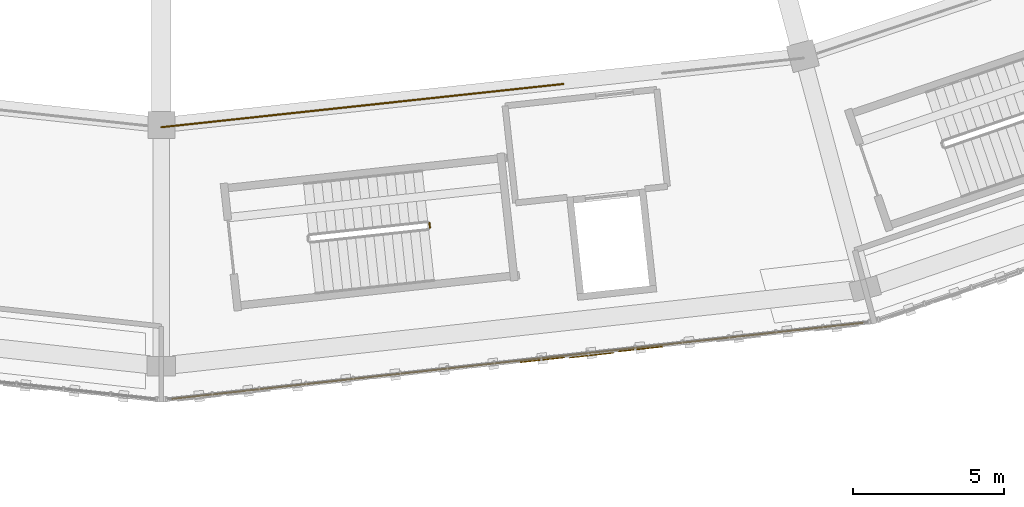
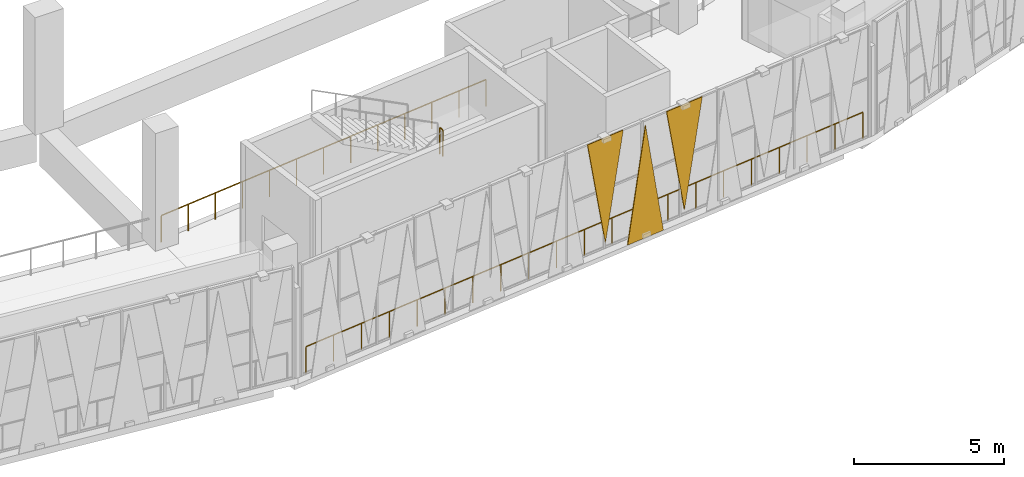
# One storey, part 87 of 108: 3 coverings, 3 railings.
"""IFC4 building model written with IfcOpenShell, lengths in metres."""

from ifc_helpers import new_model, si_unit, direction, frame, origin, origin_2d, place, context, subcontext, project, spatial, polyline, circle, outline, extrude, material, layer, layer_set, type_object, element, save


model = new_model("IFC4")

# Units and contexts
model_context = context("Model", 3, precision=1e-05, world=origin(), true_north=direction((0.0, 1.0)))
body_context = subcontext(model_context, "Body", "Model", "MODEL_VIEW")
ifc_project = project(units=[si_unit("LENGTHUNIT", "METRE"), si_unit("AREAUNIT", "SQUARE_METRE"), si_unit("VOLUMEUNIT", "CUBIC_METRE"), si_unit("PLANEANGLEUNIT", "RADIAN"), si_unit("MASSUNIT", "GRAM", prefix="KILO")], contexts=[model_context])

# Site, building, storey
site_placement = place(None, origin())
site = spatial("IfcSite", under=ifc_project, at=site_placement, CompositionType="ELEMENT")
building_placement = place(site_placement, origin())
building = spatial("IfcBuilding", under=site, at=building_placement, Name="Zevraka Park Crest Stadium", CompositionType="ELEMENT")
storey_placement = place(building_placement, frame((0.0, 0.0, 19.800048828125)))
storey = spatial("IfcBuildingStorey", under=building, at=storey_placement, Name="L04", CompositionType="ELEMENT", Elevation=19.800048828125)

# Coverings
ifc_material_1 = material(Name="Architectural golden-bronze perforated aluminium", Category="aluminium")
ifc_layer = layer(ifc_material_1, 0.034912109375)
ifc_layer_set = layer_set([ifc_layer], Name="Architectural golden-bronze perforated aluminium")
covering_type = type_object("IfcCoveringType", Name="CLD01", PredefinedType="CLADDING", material=ifc_layer_set)
covering_1_placement = place(storey_placement, frame((125.388916015625, 16.97412109375, 4.52001953125), z_axis=(0.109760215407, -0.993958095246, 3.115886e-06), x_axis=(-0.99395809525, -0.109760215408, 0.0)))
element("IfcCovering", 1, at=covering_1_placement, inside=storey, type_object=covering_type, Name="Triangular Golden-Bronze Perforated Cladding L04-18-8", PredefinedType="CLADDING", context=body_context, shape_type="SweptSolid", body=[
    extrude(outline(polyline([(0.0, 0.0), (1.4769411156667285, 0.0), (0.7383492250580652, 4.300048828145875), (0.0, 0.0)])), origin(), (0.0, 0.0, -1.0), 0.034912109375),
])
covering_2_placement = place(storey_placement, frame((125.548095703125, 16.990966796875, -0.219970703125), z_axis=(-0.109688126852, 0.993966053118, 8.77084e-06), x_axis=(0.993966053156, 0.109688126857, 0.0)))
element("IfcCovering", 2, at=covering_2_placement, inside=storey, type_object=covering_type, Name="Triangular Golden-Bronze Perforated Cladding L04-18-9", PredefinedType="CLADDING", context=body_context, shape_type="SweptSolid", body=[
    extrude(outline(polyline([(0.0, 0.0), (1.477911781756094, 0.0), (0.7393198921182166, -4.579833984551158), (0.0, 0.0)])), origin(), (0.0, 0.0, -1.0), 0.034912109375),
])
covering_3_placement = place(storey_placement, frame((128.64404296875, 17.33203125, 4.52001953125), z_axis=(0.109106903407, -0.994030015431, 0.000109777243), x_axis=(-0.994030021421, -0.109106904064, 0.0)))
element("IfcCovering", 3, at=covering_3_placement, inside=storey, type_object=covering_type, Name="Triangular Golden-Bronze Perforated Cladding L04-18-10", PredefinedType="CLADDING", context=body_context, shape_type="SweptSolid", body=[
    extrude(outline(polyline([(0.0, 0.0), (1.4768342469445075, 0.0), (0.738591739883103, 4.300048854035038), (0.0, 0.0)])), origin(), (0.0, 0.0, -1.0), 0.034912109375),
])

# Railings
ifc_material_2 = material(Name="Galvanised and bronze-finished steel balustrade", Category="steel")
railing_type_1 = type_object("IfcRailingType", Name="GR01", PredefinedType="GUARDRAIL", material=ifc_material_2)
railing_1_placement = place(storey_placement, frame((135.2919921875, 18.134033203125, 0.0)))
element("IfcRailing", 4, at=railing_1_placement, inside=storey, type_object=railing_type_1, Name="Deck Edge Protection Guardrail GR01 L04-18", PredefinedType="GUARDRAIL", context=body_context, shape_type="SweptSolid", body=[
    extrude(circle(Radius=0.02392578125, at=origin_2d()), frame((0.0, 0.0, 1.076171875), z_axis=(-0.993997671701, -0.109401227843, 0.0), x_axis=(0.109401227843, -0.993997671701, 0.0)), (0.0, 0.0, 1.0), 23.0703125),
    extrude(circle(Radius=0.02099609375, at=origin_2d()), origin(), (0.0, 0.0, 1.0), 1.052001953125),
    extrude(circle(Radius=0.02099609375, at=origin_2d()), frame((-1.146484375, -0.126220703125, 0.0)), (0.0, 0.0, 1.0), 1.052001953125),
    extrude(circle(Radius=0.02099609375, at=origin_2d()), frame((-2.293212890625, -0.25244140625, 0.0)), (0.0, 0.0, 1.0), 1.052001953125),
    extrude(circle(Radius=0.02099609375, at=origin_2d()), frame((-3.439697265625, -0.378662109375, 0.0)), (0.0, 0.0, 1.0), 1.052001953125),
    extrude(circle(Radius=0.02099609375, at=origin_2d()), frame((-4.58642578125, -0.5048828125, 0.0)), (0.0, 0.0, 1.0), 1.052001953125),
    extrude(circle(Radius=0.02099609375, at=origin_2d()), frame((-5.73291015625, -0.630859375, 0.0)), (0.0, 0.0, 1.0), 1.052001953125),
    extrude(circle(Radius=0.02099609375, at=origin_2d()), frame((-6.879638671875, -0.757080078125, 0.0)), (0.0, 0.0, 1.0), 1.052001953125),
    extrude(circle(Radius=0.02099609375, at=origin_2d()), frame((-8.026123046875, -0.88330078125, 0.0)), (0.0, 0.0, 1.0), 1.052001953125),
    extrude(circle(Radius=0.02099609375, at=origin_2d()), frame((-9.1728515625, -1.009521484375, 0.0)), (0.0, 0.0, 1.0), 1.052001953125),
    extrude(circle(Radius=0.02099609375, at=origin_2d()), frame((-10.3193359375, -1.1357421875, 0.0)), (0.0, 0.0, 1.0), 1.052001953125),
    extrude(circle(Radius=0.02099609375, at=origin_2d()), frame((-11.4658203125, -1.261962890625, 0.0)), (0.0, 0.0, 1.0), 1.052001953125),
    extrude(circle(Radius=0.02099609375, at=origin_2d()), frame((-12.612548828125, -1.38818359375, 0.0)), (0.0, 0.0, 1.0), 1.052001953125),
    extrude(circle(Radius=0.02099609375, at=origin_2d()), frame((-13.759033203125, -1.514404296875, 0.0)), (0.0, 0.0, 1.0), 1.052001953125),
    extrude(circle(Radius=0.02099609375, at=origin_2d()), frame((-14.90576171875, -1.640625, 0.0)), (0.0, 0.0, 1.0), 1.052001953125),
    extrude(circle(Radius=0.02099609375, at=origin_2d()), frame((-16.05224609375, -1.766845703125, 0.0)), (0.0, 0.0, 1.0), 1.052001953125),
    extrude(circle(Radius=0.02099609375, at=origin_2d()), frame((-17.198974609375, -1.89306640625, 0.0)), (0.0, 0.0, 1.0), 1.052001953125),
    extrude(circle(Radius=0.02099609375, at=origin_2d()), frame((-18.345458984375, -2.01904296875, 0.0)), (0.0, 0.0, 1.0), 1.052001953125),
    extrude(circle(Radius=0.02099609375, at=origin_2d()), frame((-19.4921875, -2.145263671875, 0.0)), (0.0, 0.0, 1.0), 1.052001953125),
    extrude(circle(Radius=0.02099609375, at=origin_2d()), frame((-20.638671875, -2.271484375, 0.0)), (0.0, 0.0, 1.0), 1.052001953125),
    extrude(circle(Radius=0.02099609375, at=origin_2d()), frame((-21.785400390625, -2.397705078125, 0.0)), (0.0, 0.0, 1.0), 1.052001953125),
    extrude(circle(Radius=0.02099609375, at=origin_2d()), frame((-22.931884765625, -2.52392578125, 0.0)), (0.0, 0.0, 1.0), 1.052001953125),
])
railing_2_placement = place(storey_placement, frame((111.99609375, 24.6298828125, 0.0)))
element("IfcRailing", 5, at=railing_2_placement, inside=storey, type_object=railing_type_1, Name="Deck Edge Protection Guardrail GR01 L04-28", PredefinedType="GUARDRAIL", context=body_context, shape_type="SweptSolid", body=[
    extrude(circle(Radius=0.02392578125, at=origin_2d()), frame((0.0, 0.0, 1.076171875), z_axis=(0.99426331484, 0.106960089579, 0.0), x_axis=(-0.106960089579, 0.99426331484, 0.0)), (0.0, 0.0, 1.0), 13.42578125),
    extrude(circle(Radius=0.02099609375, at=origin_2d()), origin(), (0.0, 0.0, 1.0), 1.052001953125),
    extrude(circle(Radius=0.02099609375, at=origin_2d()), frame((1.1123046875, 0.11962890625, 0.0)), (0.0, 0.0, 1.0), 1.052001953125),
    extrude(circle(Radius=0.02099609375, at=origin_2d()), frame((2.224853515625, 0.2392578125, 0.0)), (0.0, 0.0, 1.0), 1.052001953125),
    extrude(circle(Radius=0.02099609375, at=origin_2d()), frame((3.337158203125, 0.35888671875, 0.0)), (0.0, 0.0, 1.0), 1.052001953125),
    extrude(circle(Radius=0.02099609375, at=origin_2d()), frame((4.44970703125, 0.478759765625, 0.0)), (0.0, 0.0, 1.0), 1.052001953125),
    extrude(circle(Radius=0.02099609375, at=origin_2d()), frame((5.56201171875, 0.598388671875, 0.0)), (0.0, 0.0, 1.0), 1.052001953125),
    extrude(circle(Radius=0.02099609375, at=origin_2d()), frame((6.67431640625, 0.718017578125, 0.0)), (0.0, 0.0, 1.0), 1.052001953125),
    extrude(circle(Radius=0.02099609375, at=origin_2d()), frame((7.786865234375, 0.837646484375, 0.0)), (0.0, 0.0, 1.0), 1.052001953125),
    extrude(circle(Radius=0.02099609375, at=origin_2d()), frame((8.899169921875, 0.957275390625, 0.0)), (0.0, 0.0, 1.0), 1.052001953125),
    extrude(circle(Radius=0.02099609375, at=origin_2d()), frame((10.01171875, 1.0771484375, 0.0)), (0.0, 0.0, 1.0), 1.052001953125),
    extrude(circle(Radius=0.02099609375, at=origin_2d()), frame((11.1240234375, 1.19677734375, 0.0)), (0.0, 0.0, 1.0), 1.052001953125),
    extrude(circle(Radius=0.02099609375, at=origin_2d()), frame((12.236572265625, 1.31640625, 0.0)), (0.0, 0.0, 1.0), 1.052001953125),
    extrude(circle(Radius=0.02099609375, at=origin_2d()), frame((13.348876953125, 1.43603515625, 0.0)), (0.0, 0.0, 1.0), 1.052001953125),
])
ifc_material_3 = material(Name="Powder-coated tubular steel stairwell guard", Category="steel")
railing_type_2 = type_object("IfcRailingType", Name="GR03", PredefinedType="GUARDRAIL", material=ifc_material_3)
railing_3_placement = place(storey_placement, frame((120.9189453125, 21.29052734375, 2.39990234375)))
element("IfcRailing", 6, at=railing_3_placement, inside=storey, type_object=railing_type_2, Name="L04 ST19 stair guard 2", PredefinedType="GUARDRAIL", context=body_context, shape_type="SweptSolid", body=[
    extrude(circle(Radius=0.02392578125, at=origin_2d()), frame((0.0, 0.0, 1.076171875), z_axis=(-0.108420072245, 0.994105169454, 0.0), x_axis=(-0.994105169454, -0.108420072245, 0.0)), (0.0, 0.0, 1.0), 0.159912109375),
    extrude(circle(Radius=0.02099609375, at=origin_2d()), origin(), (0.0, 0.0, 1.0), 1.052001953125),
    extrude(circle(Radius=0.02099609375, at=origin_2d()), frame((-0.017333984375, 0.158935546875, 0.0)), (0.0, 0.0, 1.0), 1.052001953125),
])

save(model, "model.ifc")
